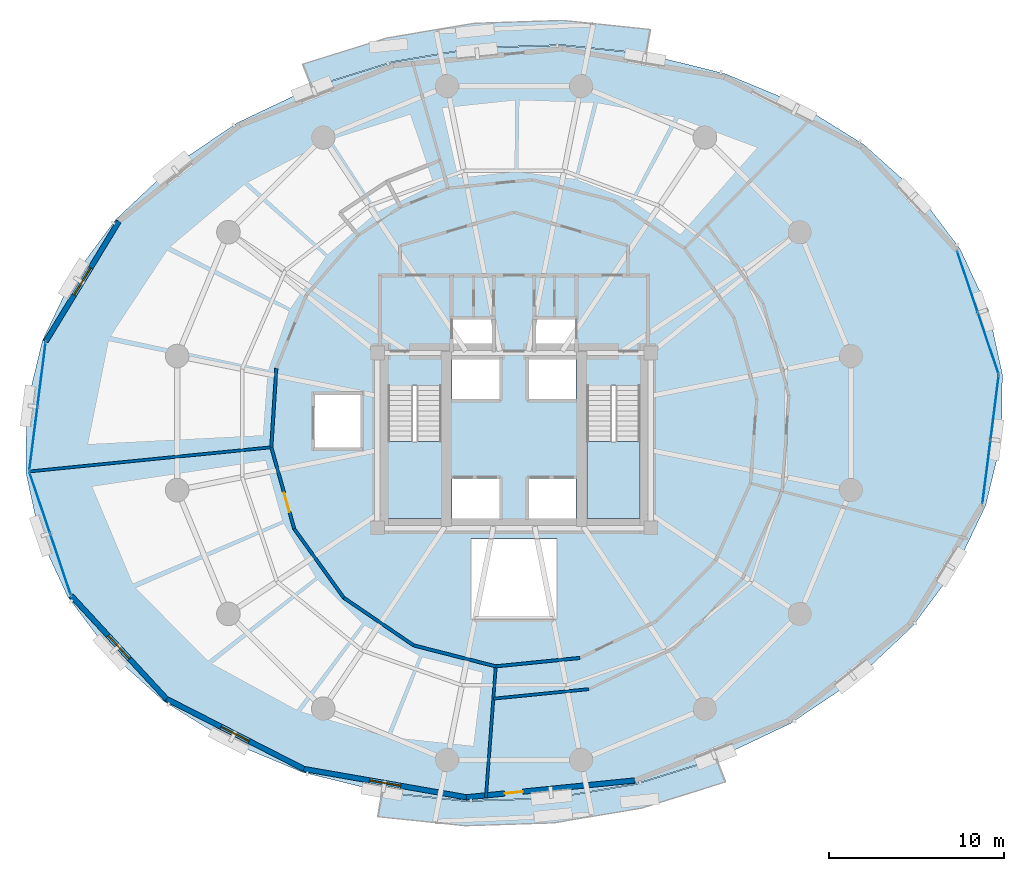
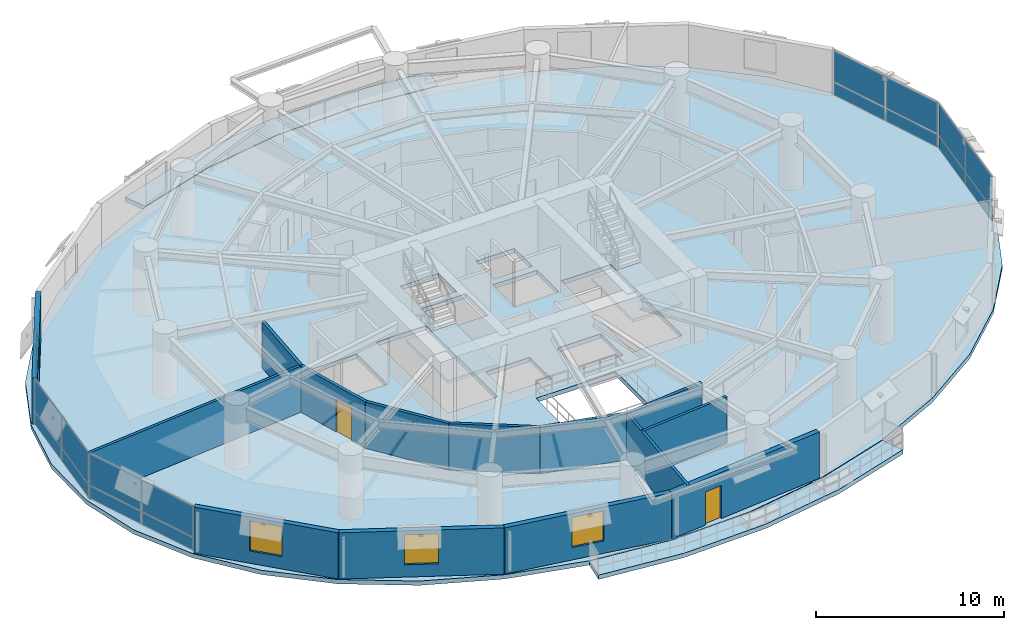
# One storey, part 11 of 17: 16 plates, 14 walls, 5 slabs, 4 windows, 2 doors, 6 openings, 6 elements without a shape of their own.
"""IFC4 building model written with IfcOpenShell, lengths in metres."""

from ifc_helpers import new_model, si_unit, direction, frame, frame_2d, origin, origin_2d, place, context, subcontext, project, spatial, polyline, rectangle, outline, extrude, material, layer, layer_set, type_object, element, fill, aggregate, save


model = new_model("IFC4")

# Units and contexts
model_context = context("Model", 3, precision=1e-05, world=origin(), true_north=direction((0.0, 1.0)))
body_context = subcontext(model_context, "Body", "Model", "MODEL_VIEW")
ifc_project = project(units=[si_unit("LENGTHUNIT", "METRE"), si_unit("AREAUNIT", "SQUARE_METRE"), si_unit("VOLUMEUNIT", "CUBIC_METRE"), si_unit("PLANEANGLEUNIT", "RADIAN"), si_unit("MASSUNIT", "GRAM", prefix="KILO"), si_unit("THERMODYNAMICTEMPERATUREUNIT", "KELVIN"), si_unit("POWERUNIT", "WATT")], contexts=[model_context])

# Site, building, storey
site_placement = place(None, origin())
site = spatial("IfcSite", under=ifc_project, at=site_placement, CompositionType="ELEMENT")
building_placement = place(site_placement, origin())
building = spatial("IfcBuilding", under=site, at=building_placement, Name="Ocrelia Relay Tower", CompositionType="ELEMENT")
storey_placement = place(building_placement, frame((0.0, 0.0, 55.199951171875)))
storey = spatial("IfcBuildingStorey", under=building, at=storey_placement, Name="L12", CompositionType="ELEMENT", Elevation=55.199951171875)

# Curtain wall, plates
ifc_material_1 = material(Name="Aluminium and solar-control low-E glass", Category="aluminium")
ifc_layer_1 = layer(ifc_material_1, 0.179931640625, Name="Aluminium and solar-control low-E glass")
ifc_layer_set_1 = layer_set([ifc_layer_1], Name="Aluminium and solar-control low-E glass")
curtain_wall_type = type_object("IfcCurtainWallType", Name="CW-SYS-Z1-DATA", PredefinedType="NOTDEFINED", material=ifc_layer_set_1)
curtain_wall_1_placement = place(storey_placement, origin())
curtain_wall_1 = element("IfcCurtainWall", 1, at=curtain_wall_1_placement, inside=storey, type_object=curtain_wall_type, Name="L12 Elliptical Tower Curtain Wall Bay 01", PredefinedType="NOTDEFINED")
ifc_material_2 = material(Name="Clear double-glazed low-E glass", Category="glass")
ifc_layer_2 = layer(ifc_material_2, 0.031982421875, Name="Clear double-glazed low-E glass")
ifc_layer_set_2 = layer_set([ifc_layer_2], Name="Clear double-glazed low-E glass")
plate_type = type_object("IfcPlateType", Name="CW-SYS-Z1-DATA-PNL", PredefinedType="CURTAIN_PANEL", material=ifc_layer_set_2)
plate_1_placement = place(storey_placement, frame((61.058837890625, 30.54833984375, 0.06494140625), z_axis=(0.0, 0.0, 1.0), x_axis=(-0.319953522402, 0.947433239602, 0.0)))
plate_1 = element("IfcPlate", 2, at=plate_1_placement, type_object=plate_type, Name="CW-Z1 panel 1.1", PredefinedType="CURTAIN_PANEL", context=body_context, shape_type="SweptSolid", body=[
    extrude(rectangle(XDim=3.6328125, YDim=0.031982421875, at=origin_2d()), origin(), (0.0, 0.0, 1.0), 0.802490234375),
])
plate_2_placement = place(storey_placement, frame((61.058837890625, 30.54833984375, 0.9326171875), z_axis=(0.0, 0.0, 1.0), x_axis=(-0.319953522402, 0.947433239602, 0.0)))
plate_2 = element("IfcPlate", 3, at=plate_2_placement, type_object=plate_type, Name="CW-Z1 panel 1.2", PredefinedType="CURTAIN_PANEL", context=body_context, shape_type="SweptSolid", body=[
    extrude(rectangle(XDim=3.6328125, YDim=0.031982421875, at=origin_2d()), origin(), (0.0, 0.0, 1.0), 2.00244140625),
])
plate_3_placement = place(storey_placement, frame((59.874267578125, 34.056396484375, 0.06494140625), z_axis=(0.0, 0.0, 1.0), x_axis=(-0.319953522402, 0.947433239602, 0.0)))
plate_3 = element("IfcPlate", 4, at=plate_3_placement, type_object=plate_type, Name="CW-Z1 panel 2.1", PredefinedType="CURTAIN_PANEL", context=body_context, shape_type="SweptSolid", body=[
    extrude(rectangle(XDim=3.6328125, YDim=0.031982421875, at=origin_2d()), origin(), (0.0, 0.0, 1.0), 0.802490234375),
])
plate_4_placement = place(storey_placement, frame((59.874267578125, 34.056396484375, 0.9326171875), z_axis=(0.0, 0.0, 1.0), x_axis=(-0.319953522402, 0.947433239602, 0.0)))
plate_4 = element("IfcPlate", 5, at=plate_4_placement, type_object=plate_type, Name="CW-Z1 panel 2.2", PredefinedType="CURTAIN_PANEL", context=body_context, shape_type="SweptSolid", body=[
    extrude(rectangle(XDim=3.6328125, YDim=0.031982421875, at=origin_2d()), origin(), (0.0, 0.0, 1.0), 2.00244140625),
])
aggregate(curtain_wall_1, [plate_1, plate_2, plate_3, plate_4])

curtain_wall_2_placement = place(storey_placement, origin())
curtain_wall_2 = element("IfcCurtainWall", 6, at=curtain_wall_2_placement, inside=storey, type_object=curtain_wall_type, Name="L12 Elliptical Tower Curtain Wall Bay 09", PredefinedType="NOTDEFINED")
plate_5_placement = place(storey_placement, frame((7.043701171875, 28.783203125, 0.06494140625), z_axis=(0.0, 0.0, 1.0), x_axis=(-0.126373950742, -0.991982673525, 0.0)))
plate_5 = element("IfcPlate", 7, at=plate_5_placement, type_object=plate_type, Name="CW-Z1 panel 1.1", PredefinedType="CURTAIN_PANEL", context=body_context, shape_type="SweptSolid", body=[
    extrude(rectangle(XDim=3.6328125, YDim=0.031982421875, at=origin_2d()), origin(), (0.0, 0.0, 1.0), 0.802490234375),
])
plate_6_placement = place(storey_placement, frame((7.043701171875, 28.783203125, 0.9326171875), z_axis=(0.0, 0.0, 1.0), x_axis=(-0.126373950742, -0.991982673525, 0.0)))
plate_6 = element("IfcPlate", 8, at=plate_6_placement, type_object=plate_type, Name="CW-Z1 panel 1.2", PredefinedType="CURTAIN_PANEL", context=body_context, shape_type="SweptSolid", body=[
    extrude(rectangle(XDim=3.6328125, YDim=0.031982421875, at=origin_2d()), origin(), (0.0, 0.0, 1.0), 2.00244140625),
])
plate_7_placement = place(storey_placement, frame((6.575927734375, 25.110107421875, 0.06494140625), z_axis=(0.0, 0.0, 1.0), x_axis=(-0.126373950742, -0.991982673525, 0.0)))
plate_7 = element("IfcPlate", 9, at=plate_7_placement, type_object=plate_type, Name="CW-Z1 panel 2.1", PredefinedType="CURTAIN_PANEL", context=body_context, shape_type="SweptSolid", body=[
    extrude(rectangle(XDim=3.6328125, YDim=0.031982421875, at=origin_2d()), origin(), (0.0, 0.0, 1.0), 0.802490234375),
])
plate_8_placement = place(storey_placement, frame((6.575927734375, 25.110107421875, 0.9326171875), z_axis=(0.0, 0.0, 1.0), x_axis=(-0.126373950742, -0.991982673525, 0.0)))
plate_8 = element("IfcPlate", 10, at=plate_8_placement, type_object=plate_type, Name="CW-Z1 panel 2.2", PredefinedType="CURTAIN_PANEL", context=body_context, shape_type="SweptSolid", body=[
    extrude(rectangle(XDim=3.6328125, YDim=0.031982421875, at=origin_2d()), origin(), (0.0, 0.0, 1.0), 2.00244140625),
])
aggregate(curtain_wall_2, [plate_5, plate_6, plate_7, plate_8])

curtain_wall_3_placement = place(storey_placement, origin())
curtain_wall_3 = element("IfcCurtainWall", 11, at=curtain_wall_3_placement, inside=storey, type_object=curtain_wall_type, Name="L12 Elliptical Tower Curtain Wall Bay 10", PredefinedType="NOTDEFINED")
plate_9_placement = place(storey_placement, frame((6.941162109375, 21.45166015625, 0.06494140625), z_axis=(0.0, 0.0, 1.0), x_axis=(0.319953522402, -0.947433239602, 0.0)))
plate_9 = element("IfcPlate", 12, at=plate_9_placement, type_object=plate_type, Name="CW-Z1 panel 1.1", PredefinedType="CURTAIN_PANEL", context=body_context, shape_type="SweptSolid", body=[
    extrude(rectangle(XDim=3.6328125, YDim=0.031982421875, at=origin_2d()), origin(), (0.0, 0.0, 1.0), 0.802490234375),
])
plate_10_placement = place(storey_placement, frame((6.941162109375, 21.45166015625, 0.9326171875), z_axis=(0.0, 0.0, 1.0), x_axis=(0.319953522402, -0.947433239602, 0.0)))
plate_10 = element("IfcPlate", 13, at=plate_10_placement, type_object=plate_type, Name="CW-Z1 panel 1.2", PredefinedType="CURTAIN_PANEL", context=body_context, shape_type="SweptSolid", body=[
    extrude(rectangle(XDim=3.6328125, YDim=0.031982421875, at=origin_2d()), origin(), (0.0, 0.0, 1.0), 2.00244140625),
])
plate_11_placement = place(storey_placement, frame((8.125732421875, 17.943603515625, 0.06494140625), z_axis=(0.0, 0.0, 1.0), x_axis=(0.319953522402, -0.947433239602, 0.0)))
plate_11 = element("IfcPlate", 14, at=plate_11_placement, type_object=plate_type, Name="CW-Z1 panel 2.1", PredefinedType="CURTAIN_PANEL", context=body_context, shape_type="SweptSolid", body=[
    extrude(rectangle(XDim=3.6328125, YDim=0.031982421875, at=origin_2d()), origin(), (0.0, 0.0, 1.0), 0.802490234375),
])
plate_12_placement = place(storey_placement, frame((8.125732421875, 17.943603515625, 0.9326171875), z_axis=(0.0, 0.0, 1.0), x_axis=(0.319953522402, -0.947433239602, 0.0)))
plate_12 = element("IfcPlate", 15, at=plate_12_placement, type_object=plate_type, Name="CW-Z1 panel 2.2", PredefinedType="CURTAIN_PANEL", context=body_context, shape_type="SweptSolid", body=[
    extrude(rectangle(XDim=3.6328125, YDim=0.031982421875, at=origin_2d()), origin(), (0.0, 0.0, 1.0), 2.00244140625),
])
aggregate(curtain_wall_3, [plate_9, plate_10, plate_11, plate_12])

curtain_wall_4_placement = place(storey_placement, origin())
curtain_wall_4 = element("IfcCurtainWall", 16, at=curtain_wall_4_placement, inside=storey, type_object=curtain_wall_type, Name="L12 Elliptical Tower Curtain Wall Bay 18", PredefinedType="NOTDEFINED")
plate_13_placement = place(storey_placement, frame((60.956298828125, 23.216796875, 0.06494140625), z_axis=(0.0, 0.0, 1.0), x_axis=(0.126373950742, 0.991982673525, 0.0)))
plate_13 = element("IfcPlate", 17, at=plate_13_placement, type_object=plate_type, Name="CW-Z1 panel 1.1", PredefinedType="CURTAIN_PANEL", context=body_context, shape_type="SweptSolid", body=[
    extrude(rectangle(XDim=3.6328125, YDim=0.031982421875, at=origin_2d()), origin(), (0.0, 0.0, 1.0), 0.802490234375),
])
plate_14_placement = place(storey_placement, frame((60.956298828125, 23.216796875, 0.9326171875), z_axis=(0.0, 0.0, 1.0), x_axis=(0.126373950742, 0.991982673525, 0.0)))
plate_14 = element("IfcPlate", 18, at=plate_14_placement, type_object=plate_type, Name="CW-Z1 panel 1.2", PredefinedType="CURTAIN_PANEL", context=body_context, shape_type="SweptSolid", body=[
    extrude(rectangle(XDim=3.6328125, YDim=0.031982421875, at=origin_2d()), origin(), (0.0, 0.0, 1.0), 2.00244140625),
])
plate_15_placement = place(storey_placement, frame((61.424072265625, 26.889892578125, 0.06494140625), z_axis=(0.0, 0.0, 1.0), x_axis=(0.126373950742, 0.991982673525, 0.0)))
plate_15 = element("IfcPlate", 19, at=plate_15_placement, type_object=plate_type, Name="CW-Z1 panel 2.1", PredefinedType="CURTAIN_PANEL", context=body_context, shape_type="SweptSolid", body=[
    extrude(rectangle(XDim=3.6328125, YDim=0.031982421875, at=origin_2d()), origin(), (0.0, 0.0, 1.0), 0.802490234375),
])
plate_16_placement = place(storey_placement, frame((61.424072265625, 26.889892578125, 0.9326171875), z_axis=(0.0, 0.0, 1.0), x_axis=(0.126373950742, 0.991982673525, 0.0)))
plate_16 = element("IfcPlate", 20, at=plate_16_placement, type_object=plate_type, Name="CW-Z1 panel 2.2", PredefinedType="CURTAIN_PANEL", context=body_context, shape_type="SweptSolid", body=[
    extrude(rectangle(XDim=3.6328125, YDim=0.031982421875, at=origin_2d()), origin(), (0.0, 0.0, 1.0), 2.00244140625),
])
aggregate(curtain_wall_4, [plate_13, plate_14, plate_15, plate_16])

# Slabs
ifc_material_3 = material(Name="Precast concrete C40/50", Category="concrete")
ifc_layer_3 = layer(ifc_material_3, 0.280029296875, Name="Precast concrete C40/50")
ifc_layer_set_3 = layer_set([ifc_layer_3], Name="Precast concrete C40/50")
slab_type_1 = type_object("IfcSlabType", Name="SL-BALC-280", PredefinedType="FLOOR", material=ifc_layer_set_3)
slab_1_placement = place(storey_placement, frame((0.0, 0.0, -0.280029296875)))
element("IfcSlab", 21, at=slab_1_placement, inside=storey, type_object=slab_type_1, Name="L12 Planted Loggia Balcony B1", PredefinedType="FLOOR", context=body_context, shape_type="SweptSolid", body=[
    extrude(outline(polyline([(41.52783203125, 47.084228515625), (39.132080078125, 47.3330078125), (36.736328125, 47.581787109375), (31.861572265625, 47.423583984375), (27.052001953125, 46.614990234375), (24.752685546875, 45.897705078125), (22.453125, 45.180419921875), (21.945556640625, 46.47802734375), (24.3369140625, 47.22412109375), (26.728271484375, 47.97021484375), (31.72314453125, 48.809814453125), (36.78564453125, 48.97412109375), (39.27734375, 48.71533203125), (41.768798828125, 48.456787109375), (41.52783203125, 47.084228515625)])), origin(), (0.0, 0.0, 1.0), 0.280029296875),
])
slab_2_placement = place(storey_placement, frame((0.0, 0.0, -0.280029296875)))
element("IfcSlab", 22, at=slab_2_placement, inside=storey, type_object=slab_type_1, Name="L12 Planted Loggia Balcony B2", PredefinedType="FLOOR", context=body_context, shape_type="SweptSolid", body=[
    extrude(outline(polyline([(26.47216796875, 4.915771484375), (28.867919921875, 4.6669921875), (31.263671875, 4.418212890625), (36.138427734375, 4.576416015625), (40.947998046875, 5.385009765625), (43.247314453125, 6.102294921875), (45.546875, 6.819580078125), (46.054443359375, 5.52197265625), (43.6630859375, 4.77587890625), (41.271728515625, 4.02978515625), (36.27685546875, 3.190185546875), (31.21435546875, 3.02587890625), (28.72265625, 3.28466796875), (26.231201171875, 3.543212890625), (26.47216796875, 4.915771484375)])), origin(), (0.0, 0.0, 1.0), 0.280029296875),
])
ifc_material_4 = material(Name="Concrete C50/60", Category="concrete")
ifc_layer_4 = layer(ifc_material_4, 0.280029296875, Name="Concrete C50/60")
ifc_layer_set_4 = layer_set([ifc_layer_4], Name="Concrete C50/60")
slab_type_2 = type_object("IfcSlabType", Name="SL-FLR-280", PredefinedType="FLOOR", material=ifc_layer_set_4)
slab_3_placement = place(storey_placement, frame((0.0, 0.0, -0.280029296875)))
element("IfcSlab", 23, at=slab_3_placement, inside=storey, type_object=slab_type_2, Name="L12 Elliptical Tower Floor Slab", PredefinedType="FLOOR", context=body_context, shape_type="SweptSolid", body=[
    extrude(outline(polyline([(61.861572265625, 28.781005859375), (61.0673828125, 32.45361328125), (59.450927734375, 35.930419921875), (57.06103515625, 39.105224609375), (53.970703125, 41.8818359375), (50.273193359375, 44.176025390625), (46.08154296875, 45.91796875), (41.522705078125, 47.0546875), (36.735107421875, 47.551513671875), (31.864501953125, 47.393798828125), (27.05908203125, 46.585693359375), (22.464111328125, 45.15234375), (18.219970703125, 43.136962890625), (14.455078125, 40.60107421875), (11.2841796875, 37.621337890625), (8.803466796875, 34.28857421875), (7.08837890625, 30.703857421875), (6.19091796875, 26.976318359375), (6.138427734375, 23.218994140625), (6.9326171875, 19.54638671875), (8.549072265625, 16.069580078125), (10.93896484375, 12.894775390625), (14.029296875, 10.1181640625), (17.726806640625, 7.823974609375), (21.91845703125, 6.08203125), (26.477294921875, 4.9453125), (31.264892578125, 4.448486328125), (36.135498046875, 4.606201171875), (40.94091796875, 5.414306640625), (45.535888671875, 6.84765625), (49.780029296875, 8.863037109375), (53.544921875, 11.39892578125), (56.7158203125, 14.378662109375), (59.196533203125, 17.71142578125), (60.91162109375, 21.296142578125), (61.80908203125, 25.023681640625), (61.861572265625, 28.781005859375)]), holes=[polyline([(26.81005859375, 28.14990234375), (26.81005859375, 20.550048828125), (29.85009765625, 20.550048828125), (29.85009765625, 28.14990234375), (26.81005859375, 28.14990234375)]), polyline([(38.159912109375, 28.14990234375), (38.159912109375, 20.550048828125), (41.199951171875, 20.550048828125), (41.199951171875, 28.14990234375), (38.159912109375, 28.14990234375)]), polyline([(30.4599609375, 20.550048828125), (33.159912109375, 20.550048828125), (33.159912109375, 22.85009765625), (30.4599609375, 22.85009765625), (30.4599609375, 20.550048828125)]), polyline([(34.840087890625, 20.550048828125), (37.5400390625, 20.550048828125), (37.5400390625, 22.85009765625), (34.840087890625, 22.85009765625), (34.840087890625, 20.550048828125)]), polyline([(30.4599609375, 27.35009765625), (33.159912109375, 27.35009765625), (33.159912109375, 29.64990234375), (30.4599609375, 29.64990234375), (30.4599609375, 27.35009765625)]), polyline([(34.840087890625, 27.35009765625), (37.5400390625, 27.35009765625), (37.5400390625, 29.64990234375), (34.840087890625, 29.64990234375), (34.840087890625, 27.35009765625)]), polyline([(30.5, 30.10009765625), (32.85009765625, 30.10009765625), (32.85009765625, 32.0), (30.5, 32.0), (30.5, 30.10009765625)]), polyline([(35.14990234375, 30.10009765625), (37.5, 30.10009765625), (37.5, 32.0), (35.14990234375, 32.0), (35.14990234375, 30.10009765625)]), polyline([(22.550048828125, 24.5), (25.35009765625, 24.5), (25.35009765625, 27.699951171875), (22.550048828125, 27.699951171875), (22.550048828125, 24.5)]), polyline([(31.550048828125, 14.800048828125), (36.449951171875, 14.800048828125), (36.449951171875, 19.39990234375), (31.550048828125, 19.39990234375), (31.550048828125, 14.800048828125)])]), origin(), (0.0, 0.0, 1.0), 0.280029296875),
])

# Stair, slab
stair_type = type_object("IfcStairType", Name="ST-DL-1420-R175", PredefinedType="HALF_TURN_STAIR", material=ifc_material_4)
stair_1_placement = place(storey_placement, origin())
stair_1 = element("IfcStair", 24, at=stair_1_placement, inside=storey, type_object=stair_type, Name="L12 West Core Exit Stair ST1", PredefinedType="HALF_TURN_STAIR")
ifc_layer_5 = layer(ifc_material_4, 0.199951171875, Name="Concrete C50/60")
ifc_layer_set_5 = layer_set([ifc_layer_5], Name="Concrete C50/60")
slab_type_3 = type_object("IfcSlabType", Name="SL-LANDING-200", PredefinedType="LANDING", material=ifc_layer_set_5)
slab_4_placement = place(storey_placement, frame((0.0, 0.0, 1.900146484375)))
slab_4 = element("IfcSlab", 25, at=slab_4_placement, type_object=slab_type_3, Name="ST1 landing 1", PredefinedType="LANDING", context=body_context, shape_type="SweptSolid", body=[
    extrude(outline(polyline([(26.81005859375, 24.9599609375), (26.81005859375, 20.550048828125), (29.85009765625, 20.550048828125), (29.85009765625, 24.9599609375), (26.81005859375, 24.9599609375)])), origin(), (0.0, 0.0, 1.0), 0.199951171875),
])
aggregate(stair_1, [slab_4])

stair_2_placement = place(storey_placement, origin())
stair_2 = element("IfcStair", 26, at=stair_2_placement, inside=storey, type_object=stair_type, Name="L12 East Core Exit Stair ST2", PredefinedType="HALF_TURN_STAIR")
slab_5_placement = place(storey_placement, frame((0.0, 0.0, 1.900146484375)))
slab_5 = element("IfcSlab", 27, at=slab_5_placement, type_object=slab_type_3, Name="ST2 landing 1", PredefinedType="LANDING", context=body_context, shape_type="SweptSolid", body=[
    extrude(outline(polyline([(38.159912109375, 24.9599609375), (38.159912109375, 20.550048828125), (41.199951171875, 20.550048828125), (41.199951171875, 24.9599609375), (38.159912109375, 24.9599609375)])), origin(), (0.0, 0.0, 1.0), 0.199951171875),
])
aggregate(stair_2, [slab_5])

# Wall
ifc_material_5 = material(Name="Gypsum Fireboard Partition EI60", Category="gypsum")
ifc_layer_6 = layer(ifc_material_5, 0.179931640625, Name="Gypsum Fireboard Partition EI60")
ifc_layer_set_6 = layer_set([ifc_layer_6], Name="Gypsum Fireboard Partition EI60")
wall_type_1 = type_object("IfcWallType", Name="W-CORR-EI60-180", PredefinedType="PARTITIONING", material=ifc_layer_set_6)
wall_1_placement = place(storey_placement, frame((20.434814453125, 29.123291015625, 0.0), z_axis=(0.0, 0.0, 1.0), x_axis=(-0.063374731635, -0.997989801246, 0.0)))
element("IfcWall", 28, at=wall_1_placement, inside=storey, type_object=wall_type_1, Name="L12 Carrier Briefing Room Corridor Partition 3", PredefinedType="PARTITIONING", context=body_context, shape_type="SweptSolid", body=[
    extrude(rectangle(XDim=4.514892578125, YDim=0.179931640625, at=frame_2d((2.25732421875, 0.0))), origin(), (0.0, 0.0, 1.0), 3.0),
])

# Wall, opening, door
wall_2_placement = place(storey_placement, frame((20.148681640625, 24.617431640625, 0.0), z_axis=(0.0, 0.0, 1.0), x_axis=(0.270630041705, -0.962683426951, 0.0)))
wall_2 = element("IfcWall", 29, at=wall_2_placement, inside=storey, type_object=wall_type_1, Name="L12 Colocation Data Hall A Corridor Partition 1", PredefinedType="PARTITIONING", context=body_context, shape_type="SweptSolid", body=[
    extrude(rectangle(XDim=4.83447265625, YDim=0.179931640625, at=frame_2d((2.417236328125, 0.0))), origin(), (0.0, 0.0, 1.0), 3.0),
])
opening_1_placement = place(wall_2_placement, frame((2.688232421875, 0.0, 0.0)))
opening_1 = element("IfcOpeningElement", 30, at=opening_1_placement, cuts=wall_2, Name="Opening D-RM115", PredefinedType="OPENING", context=body_context, shape_type="SweptSolid", body=[
    extrude(rectangle(XDim=1.14990234375, YDim=2.14990234375, at=frame_2d((0.574951171875, 1.074951171875))), frame((0.0, 0.10009765625, 0.0), z_axis=(0.0, -1.0, 0.0), x_axis=(1.0, 0.0, 0.0)), (0.0, 0.0, 1.0), 0.199951171875),
])
ifc_material_6 = material(Name="Wide acoustic oak veneer fire door", Category="wood")
door_type_1 = type_object("IfcDoorType", Name="DR-ROOM-1150", OperationType="NOTDEFINED", PredefinedType="DOOR", material=ifc_material_6)
door_1_placement = place(opening_1_placement, origin())
door_1 = element("IfcDoor", 31, at=door_1_placement, inside=storey, type_object=door_type_1, Name="L12 Colocation Data Hall A Entrance Door", OperationType="SINGLE_SWING_RIGHT", OverallHeight=2.14990234375, OverallWidth=1.14990234375, PredefinedType="DOOR", context=body_context, shape_type="SweptSolid", body=[
    extrude(rectangle(XDim=1.14990234375, YDim=2.14990234375, at=frame_2d((0.574951171875, 1.074951171875))), frame((0.0, 0.02490234375, 0.0), z_axis=(0.0, -1.0, 0.0), x_axis=(1.0, 0.0, 0.0)), (0.0, 0.0, 1.0), 0.050048828125),
])
fill(opening_1, door_1)

# Walls
wall_3_placement = place(storey_placement, frame((21.45703125, 19.96337890625, 0.0), z_axis=(0.0, 0.0, 1.0), x_axis=(0.583552796145, -0.812075202251, 0.0)))
element("IfcWall", 32, at=wall_3_placement, inside=storey, type_object=wall_type_1, Name="L12 Colocation Data Hall A Corridor Partition 2", PredefinedType="PARTITIONING", context=body_context, shape_type="SweptSolid", body=[
    extrude(rectangle(XDim=4.834228515625, YDim=0.179931640625, at=frame_2d((2.4169921875, 0.0))), origin(), (0.0, 0.0, 1.0), 3.0),
])
for number, where, z_axis, x_axis, name in (
    (33, (24.278076171875, 16.03759765625, 0.0), (0.0, 0.0, 1.0), (0.826090560553, -0.563537386307, 0.0), "L12 Colocation Data Hall A Corridor Partition 3"),
    (34, (28.271728515625, 13.313232421875, 0.0), (0.0, 0.0, 1.0), (0.969015246349, -0.247000915671, 0.0), "L12 Colocation Data Hall A Corridor Partition 4"),
    (35, (32.956298828125, 12.119140625, 0.0), (0.0, 0.0, 1.0), (0.995054175725, 0.099333717197, 0.0), "L12 Technical Conference Room Corridor Partition 1"),
):
    element("IfcWall", number, at=place(storey_placement, frame(where, z_axis=z_axis, x_axis=x_axis)), inside=storey, type_object=wall_type_1, Name=name, PredefinedType="PARTITIONING", context=body_context, shape_type="SweptSolid", body=[
        extrude(rectangle(XDim=4.83447265625, YDim=0.179931640625, at=frame_2d((2.417236328125, 0.0))), origin(), (0.0, 0.0, 1.0), 3.0),
    ])

# Wall, opening, window
ifc_material_7 = material(Name="Precast concrete C40/50 with oxide terracotta", Category="masonry")
ifc_layer_7 = layer(ifc_material_7, 0.300048828125, Name="Precast concrete C40/50 with oxide terracotta")
ifc_layer_set_7 = layer_set([ifc_layer_7], Name="Precast concrete C40/50 with oxide terracotta")
wall_type_2 = type_object("IfcWallType", Name="W-EXT-TERR-300", PredefinedType="SOLIDWALL", material=ifc_layer_set_7)
wall_4_placement = place(storey_placement, frame((11.449462890625, 37.508544921875, 0.0), z_axis=(0.0, 0.0, 1.0), x_axis=(-0.519499833869, -0.854470551049, 0.0)))
wall_4 = element("IfcWall", 36, at=wall_4_placement, inside=storey, type_object=wall_type_2, Name="L12 Oxide Terracotta Facade Wall 08", PredefinedType="SOLIDWALL", context=body_context, shape_type="SweptSolid", body=[
    extrude(rectangle(XDim=8.021728515625, YDim=0.300048828125, at=frame_2d((4.0107421875, 0.0))), origin(), (0.0, 0.0, 1.0), 3.0),
])
opening_2_placement = place(wall_4_placement, frame((3.111083984375, 0.0, 0.800048828125)))
opening_2 = element("IfcOpeningElement", 37, at=opening_2_placement, cuts=wall_4, Name="Opening W-02", PredefinedType="OPENING", context=body_context, shape_type="SweptSolid", body=[
    extrude(rectangle(XDim=1.800048828125, YDim=1.949951171875, at=frame_2d((0.89990234375, 0.97509765625))), frame((0.0, 0.16015625, 0.0), z_axis=(0.0, -1.0, 0.0), x_axis=(1.0, 0.0, 0.0)), (0.0, 0.0, 1.0), 0.320068359375),
])
window_type = type_object("IfcWindowType", Name="WIN-Z1-1800x2100", PartitioningType="DOUBLE_PANEL_VERTICAL", PredefinedType="WINDOW", material=ifc_material_2)
window_1_placement = place(opening_2_placement, origin())
window_1 = element("IfcWindow", 38, at=window_1_placement, inside=storey, type_object=window_type, Name="L12 Facade Module Window 08", OverallHeight=1.949951171875, OverallWidth=1.800048828125, PartitioningType="SINGLE_PANEL", PredefinedType="WINDOW", context=body_context, shape_type="SweptSolid", body=[
    extrude(rectangle(XDim=1.800048828125, YDim=1.949951171875, at=frame_2d((0.89990234375, 0.97509765625))), frame((0.0, 0.030029296875, 0.0), z_axis=(0.0, -1.0, 0.0), x_axis=(1.0, 0.0, 0.0)), (0.0, 0.0, 1.0), 0.06005859375),
])
fill(opening_2, window_1)

wall_5_placement = place(storey_placement, frame((8.729248046875, 16.156494140625, 0.0), z_axis=(0.0, 0.0, 1.0), x_axis=(0.678156213245, -0.734917784815, 0.0)))
wall_5 = element("IfcWall", 39, at=wall_5_placement, inside=storey, type_object=wall_type_2, Name="L12 Oxide Terracotta Facade Wall 11", PredefinedType="SOLIDWALL", context=body_context, shape_type="SweptSolid", body=[
    extrude(rectangle(XDim=8.021728515625, YDim=0.300048828125, at=frame_2d((4.0107421875, 0.0))), origin(), (0.0, 0.0, 1.0), 3.0),
])
opening_3_placement = place(wall_5_placement, frame((3.111083984375, 0.0, 0.800048828125)))
opening_3 = element("IfcOpeningElement", 40, at=opening_3_placement, cuts=wall_5, Name="Opening W-02", PredefinedType="OPENING", context=body_context, shape_type="SweptSolid", body=[
    extrude(rectangle(XDim=1.800048828125, YDim=1.949951171875, at=frame_2d((0.89990234375, 0.97509765625))), frame((0.0, 0.16015625, 0.0), z_axis=(0.0, -1.0, 0.0), x_axis=(1.0, 0.0, 0.0)), (0.0, 0.0, 1.0), 0.320068359375),
])
window_2_placement = place(opening_3_placement, origin())
window_2 = element("IfcWindow", 41, at=window_2_placement, inside=storey, type_object=window_type, Name="L12 Facade Module Window 11", OverallHeight=1.949951171875, OverallWidth=1.800048828125, PartitioningType="SINGLE_PANEL", PredefinedType="WINDOW", context=body_context, shape_type="SweptSolid", body=[
    extrude(rectangle(XDim=1.800048828125, YDim=1.949951171875, at=frame_2d((0.89990234375, 0.97509765625))), frame((0.0, 0.030029296875, 0.0), z_axis=(0.0, -1.0, 0.0), x_axis=(1.0, 0.0, 0.0)), (0.0, 0.0, 1.0), 0.06005859375),
])
fill(opening_3, window_2)

wall_6_placement = place(storey_placement, frame((14.169189453125, 10.26123046875, 0.0), z_axis=(0.0, 0.0, 1.0), x_axis=(0.890709330384, -0.454573304063, 0.0)))
wall_6 = element("IfcWall", 42, at=wall_6_placement, inside=storey, type_object=wall_type_2, Name="L12 Oxide Terracotta Facade Wall 12", PredefinedType="SOLIDWALL", context=body_context, shape_type="SweptSolid", body=[
    extrude(rectangle(XDim=8.79248046875, YDim=0.300048828125, at=frame_2d((4.396240234375, 0.0))), origin(), (0.0, 0.0, 1.0), 3.0),
])
opening_4_placement = place(wall_6_placement, frame((3.49609375, 0.0, 0.800048828125)))
opening_4 = element("IfcOpeningElement", 43, at=opening_4_placement, cuts=wall_6, Name="Opening W-02", PredefinedType="OPENING", context=body_context, shape_type="SweptSolid", body=[
    extrude(rectangle(XDim=1.800048828125, YDim=1.949951171875, at=frame_2d((0.89990234375, 0.97509765625))), frame((0.0, 0.16015625, 0.0), z_axis=(0.0, -1.0, 0.0), x_axis=(1.0, 0.0, 0.0)), (0.0, 0.0, 1.0), 0.320068359375),
])
window_3_placement = place(opening_4_placement, origin())
window_3 = element("IfcWindow", 44, at=window_3_placement, inside=storey, type_object=window_type, Name="L12 Facade Module Window 12", OverallHeight=1.949951171875, OverallWidth=1.800048828125, PartitioningType="SINGLE_PANEL", PredefinedType="WINDOW", context=body_context, shape_type="SweptSolid", body=[
    extrude(rectangle(XDim=1.800048828125, YDim=1.949951171875, at=frame_2d((0.89990234375, 0.97509765625))), frame((0.0, 0.030029296875, 0.0), z_axis=(0.0, -1.0, 0.0), x_axis=(1.0, 0.0, 0.0)), (0.0, 0.0, 1.0), 0.06005859375),
])
fill(opening_4, window_3)

wall_7_placement = place(storey_placement, frame((22.000732421875, 6.264404296875, 0.0), z_axis=(0.0, 0.0, 1.0), x_axis=(0.985163203434, -0.171620111294, 0.0)))
wall_7 = element("IfcWall", 45, at=wall_7_placement, inside=storey, type_object=wall_type_2, Name="L12 Oxide Terracotta Facade Wall 13", PredefinedType="SOLIDWALL", context=body_context, shape_type="SweptSolid", body=[
    extrude(rectangle(XDim=9.418701171875, YDim=0.300048828125, at=frame_2d((4.70947265625, 0.0))), origin(), (0.0, 0.0, 1.0), 3.0),
])
opening_5_placement = place(wall_7_placement, frame((3.80908203125, 0.0, 0.800048828125)))
opening_5 = element("IfcOpeningElement", 46, at=opening_5_placement, cuts=wall_7, Name="Opening W-02", PredefinedType="OPENING", context=body_context, shape_type="SweptSolid", body=[
    extrude(rectangle(XDim=1.800048828125, YDim=1.949951171875, at=frame_2d((0.89990234375, 0.97509765625))), frame((0.0, 0.16015625, 0.0), z_axis=(0.0, -1.0, 0.0), x_axis=(1.0, 0.0, 0.0)), (0.0, 0.0, 1.0), 0.320068359375),
])
window_4_placement = place(opening_5_placement, origin())
window_4 = element("IfcWindow", 47, at=window_4_placement, inside=storey, type_object=window_type, Name="L12 Facade Module Window 13", OverallHeight=1.949951171875, OverallWidth=1.800048828125, PartitioningType="SINGLE_PANEL", PredefinedType="WINDOW", context=body_context, shape_type="SweptSolid", body=[
    extrude(rectangle(XDim=1.800048828125, YDim=1.949951171875, at=frame_2d((0.89990234375, 0.97509765625))), frame((0.0, 0.030029296875, 0.0), z_axis=(0.0, -1.0, 0.0), x_axis=(1.0, 0.0, 0.0)), (0.0, 0.0, 1.0), 0.06005859375),
])
fill(opening_5, window_4)

# Wall, opening, door
wall_8_placement = place(storey_placement, frame((31.27978515625, 4.64794921875, 0.0), z_axis=(0.0, 0.0, 1.0), x_axis=(0.995057448988, 0.099300922522, 0.0)))
wall_8 = element("IfcWall", 48, at=wall_8_placement, inside=storey, type_object=wall_type_2, Name="L12 Oxide Terracotta Facade Wall 14", PredefinedType="SOLIDWALL", context=body_context, shape_type="SweptSolid", body=[
    extrude(rectangle(XDim=9.65478515625, YDim=0.300048828125, at=frame_2d((4.827392578125, 0.0))), origin(), (0.0, 0.0, 1.0), 3.0),
])
opening_6_placement = place(wall_8_placement, frame((2.18994140625, 0.0, 0.0)))
opening_6 = element("IfcOpeningElement", 49, at=opening_6_placement, cuts=wall_8, Name="Opening DB-105", PredefinedType="OPENING", context=body_context, shape_type="SweptSolid", body=[
    extrude(rectangle(XDim=1.050048828125, YDim=2.14990234375, at=frame_2d((0.52490234375, 1.074951171875))), frame((0.0, 0.16015625, 0.0), z_axis=(0.0, -1.0, 0.0), x_axis=(1.0, 0.0, 0.0)), (0.0, 0.0, 1.0), 0.320068359375),
])
ifc_material_8 = material(Name="Thermally broken aluminium and clear glass", Category="aluminium")
door_type_2 = type_object("IfcDoorType", Name="DR-BALC-1050", OperationType="NOTDEFINED", PredefinedType="DOOR", material=ifc_material_8)
door_2_placement = place(opening_6_placement, origin())
door_2 = element("IfcDoor", 50, at=door_2_placement, inside=storey, type_object=door_type_2, Name="L12 Planted Loggia Balcony Door B2", OperationType="SINGLE_SWING_LEFT", OverallHeight=2.14990234375, OverallWidth=1.050048828125, PredefinedType="DOOR", context=body_context, shape_type="SweptSolid", body=[
    extrude(rectangle(XDim=1.050048828125, YDim=2.14990234375, at=frame_2d((0.52490234375, 1.074951171875))), frame((0.0, 0.02490234375, 0.0), z_axis=(0.0, -1.0, 0.0), x_axis=(1.0, 0.0, 0.0)), (0.0, 0.0, 1.0), 0.050048828125),
])
fill(opening_6, door_2)

# Walls
ifc_material_9 = material(Name="Acoustic Fireboard Partition EI60", Category="gypsum")
ifc_layer_8 = layer(ifc_material_9, 0.159912109375, Name="Acoustic Fireboard Partition EI60")
ifc_layer_set_8 = layer_set([ifc_layer_8], Name="Acoustic Fireboard Partition EI60")
wall_type_3 = type_object("IfcWallType", Name="W-PART-160", PredefinedType="PARTITIONING", material=ifc_layer_set_8)
wall_9_placement = place(storey_placement, frame((20.148681640625, 24.617431640625, 0.0), z_axis=(0.0, 0.0, 1.0), x_axis=(-0.995056502484, -0.099310406622, 0.0)))
element("IfcWall", 51, at=wall_9_placement, inside=storey, type_object=wall_type_3, Name="L12 Carrier Briefing Room Radial Partition", PredefinedType="PARTITIONING", context=body_context, shape_type="SweptSolid", body=[
    extrude(rectangle(XDim=13.8798828125, YDim=0.159912109375, at=frame_2d((6.93994140625, 0.0))), origin(), (0.0, 0.0, 1.0), 3.0),
])
wall_10_placement = place(storey_placement, frame((32.956298828125, 12.119140625, 0.0), z_axis=(0.0, 0.0, 1.0), x_axis=(-0.074991886745, -0.997184143939, 0.0)))
element("IfcWall", 52, at=wall_10_placement, inside=storey, type_object=wall_type_3, Name="L12 Colocation Data Hall A Radial Partition", PredefinedType="PARTITIONING", context=body_context, shape_type="SweptSolid", body=[
    extrude(rectangle(XDim=7.513916015625, YDim=0.159912109375, at=frame_2d((3.7568359375, 0.0))), origin(), (0.0, 0.0, 1.0), 3.0),
])
wall_11_placement = place(storey_placement, frame((32.817626953125, 10.2744140625, 0.0), z_axis=(0.0, 0.0, 1.0), x_axis=(0.995055710061, 0.099318346117, 0.0)))
element("IfcWall", 53, at=wall_11_placement, inside=storey, type_object=wall_type_3, Name="L12 Perimeter Technical Conference Room Mid-Ring Partition 1", PredefinedType="PARTITIONING", context=body_context, shape_type="SweptSolid", body=[
    extrude(rectangle(XDim=5.476806640625, YDim=0.159912109375, at=frame_2d((2.73828125, 0.0))), origin(), (0.0, 0.0, 1.0), 3.0),
])

save(model, "model.ifc")
